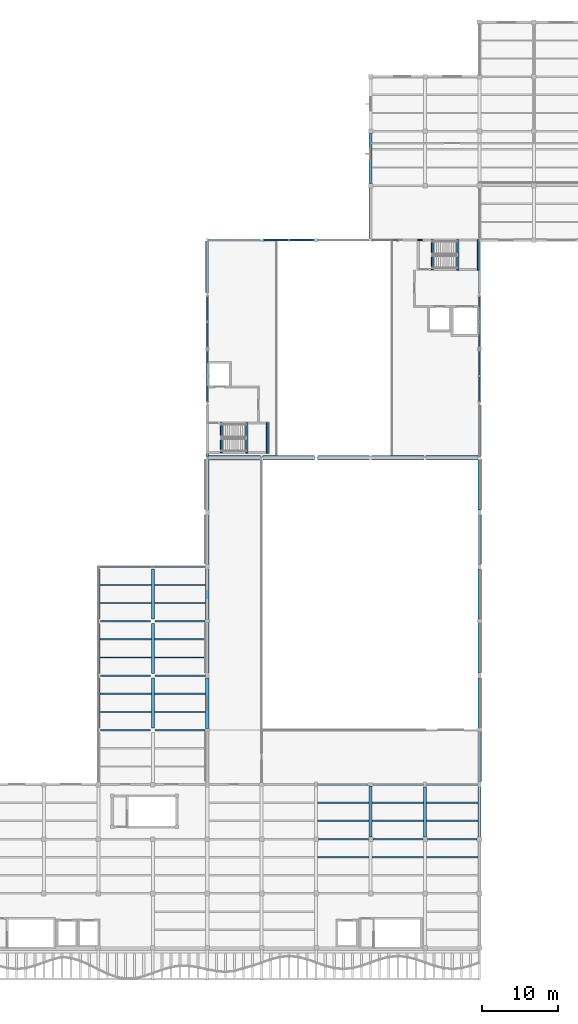
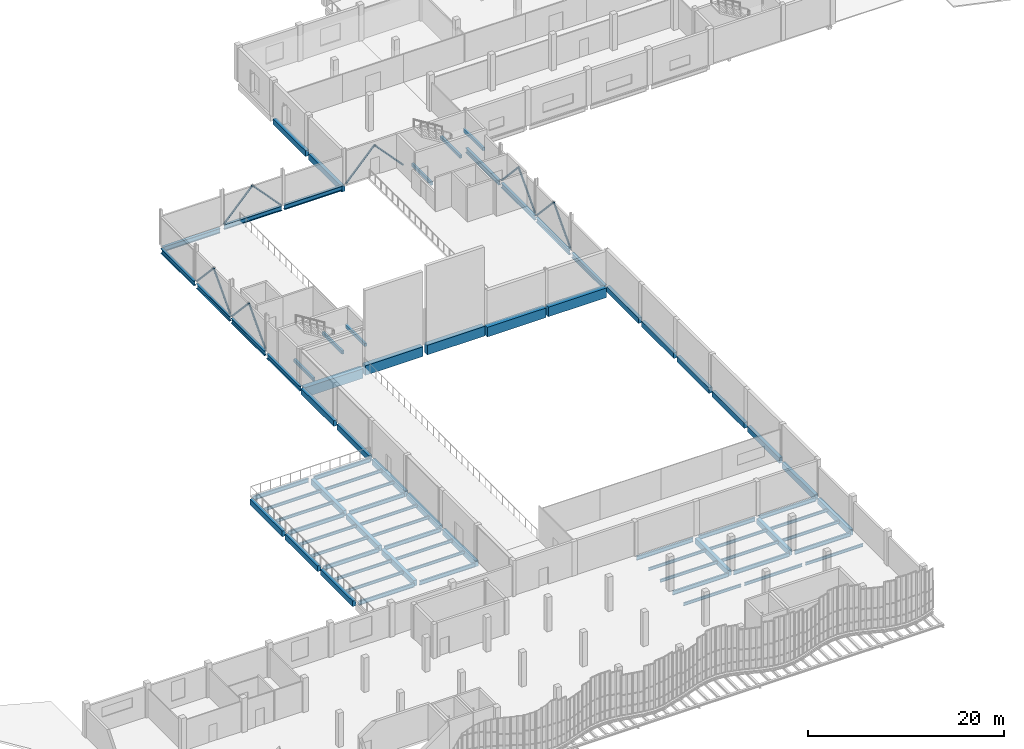
# One storey, part 28 of 76: 79 beams, 12 members.
"""IFC4 building model written with IfcOpenShell, lengths in metres."""

import ifcopenshell
import ifcopenshell.guid

model = None  # the IFC model being written
_history = None  # IfcOwnerHistory: only IFC2X3 demands one
_inside = {}  # id of a spatial element -> (the spatial element, [elements in it])
_under = {}  # id of a project, library or spatial element -> (it, [spatial elements below it])
_declared = {}  # id of a project -> (the project, [libraries it declares])
_typed = {}  # id of a type object -> (the type object, [elements of that type])
_made_of = {}  # id of a material, layer set ... -> (it, [elements and type objects made of it])


def new_model(schema):
    """Start an empty IFC model of exactly this schema.

    Asked for "IFC4X3", IfcOpenShell would pick the latest addendum, in which some entities
    have other attributes; the version numbers below select the first issue.
    IFC2X3 requires an IfcOwnerHistory on every rooted entity: one is made here for all.
    """
    global model, _history
    if schema == "IFC4X3":
        model = ifcopenshell.file(schema_version=(4, 3, 0, 0))
    else:
        model = ifcopenshell.file(schema=schema)
    _inside.clear()
    _under.clear()
    _declared.clear()
    _typed.clear()
    _made_of.clear()
    _history = None
    if model.schema == "IFC2X3":
        org = make("IfcOrganization", Name="unknown")
        user = make(
            "IfcPersonAndOrganization",
            ThePerson=make("IfcPerson", FamilyName="unknown"),
            TheOrganization=org,
        )
        app = make(
            "IfcApplication",
            ApplicationDeveloper=org,
            Version="unknown",
            ApplicationFullName="unknown",
            ApplicationIdentifier="unknown",
        )
        _history = make(
            "IfcOwnerHistory",
            OwningUser=user,
            OwningApplication=app,
            ChangeAction="ADDED",
            CreationDate=0,
        )
    return model


def make(cls, **values):
    """One entity of the class cls with the attributes given. An attribute that is None is left unset."""
    return model.create_entity(
        cls, **{name: value for name, value in values.items() if value is not None}
    )


def rooted(cls, **values):
    """An entity with a GlobalId (a new one), such as an element, a storey or a relation."""
    return make(cls, GlobalId=ifcopenshell.guid.new(), OwnerHistory=_history, **values)


def si_unit(unit_type, name, prefix=None):
    """IfcSIUnit, for example si_unit("LENGTHUNIT", "METRE", prefix="MILLI")."""
    return make("IfcSIUnit", UnitType=unit_type, Prefix=prefix, Name=name)


def assignment(units):
    """IfcUnitAssignment: the units of a project."""
    return None if units is None else make("IfcUnitAssignment", Units=units)


def point(xyz):
    """IfcCartesianPoint."""
    return None if xyz is None else make("IfcCartesianPoint", Coordinates=xyz)


def direction(xyz):
    """IfcDirection."""
    return None if xyz is None else make("IfcDirection", DirectionRatios=xyz)


def frame(location, z_axis=None, x_axis=None):
    """IfcAxis2Placement3D, a coordinate frame: its origin and axes. An axis left out is left unset."""
    return make(
        "IfcAxis2Placement3D",
        Location=point(location),
        Axis=direction(z_axis),
        RefDirection=direction(x_axis),
    )


def frame_2d(location, x_axis=None):
    """IfcAxis2Placement2D, a coordinate frame in the plane: its origin and x axis."""
    return make(
        "IfcAxis2Placement2D", Location=point(location), RefDirection=direction(x_axis)
    )


def origin():
    """The frame at (0, 0, 0) with its axes left unset."""
    return frame((0.0, 0.0, 0.0))


def origin_2d():
    """The frame at (0, 0) in the plane with its x axis left unset."""
    return frame_2d((0.0, 0.0))


def place(relative_to, where):
    """IfcLocalPlacement: puts the frame where relative to a parent placement (None: the world)."""
    return make(
        "IfcLocalPlacement", PlacementRelTo=relative_to, RelativePlacement=where
    )


def context(
    kind, dimensions, precision=None, world=None, true_north=None, identifier=None
):
    """IfcGeometricRepresentationContext, for example the 3D "Model" context."""
    return make(
        "IfcGeometricRepresentationContext",
        ContextIdentifier=identifier,
        ContextType=kind,
        CoordinateSpaceDimension=dimensions,
        Precision=precision,
        WorldCoordinateSystem=world,
        TrueNorth=true_north,
    )


def subcontext(parent, identifier, kind, view, scale=None):
    """IfcGeometricRepresentationSubContext, for example "Body" below "Model"."""
    return make(
        "IfcGeometricRepresentationSubContext",
        ContextIdentifier=identifier,
        ContextType=kind,
        ParentContext=parent,
        TargetScale=scale,
        TargetView=view,
    )


def project(units=None, contexts=None):
    """IfcProject with its units and contexts."""
    return rooted(
        "IfcProject",
        Name="project",
        RepresentationContexts=contexts,
        UnitsInContext=assignment(units),
    )


def spatial(cls, under=None, at=None, **own):
    """A site, building, storey or space (cls), placed at a placement, below another one or the project."""
    s = rooted(cls, ObjectPlacement=at, **own)
    if under is not None:
        _under.setdefault(under.id(), (under, []))[1].append(s)
    return s


def profile(cls, at=None, kind="AREA", **sizes):
    """A parametric profile (cls). Its sizes go by their IFC names, for example OverallWidth=200.0."""
    return make(cls, ProfileType=kind, Position=at, **sizes)


def rectangle(**sizes):
    """IfcRectangleProfileDef."""
    return profile("IfcRectangleProfileDef", **sizes)


def hollow_circle(**sizes):
    """IfcCircleHollowProfileDef."""
    return profile("IfcCircleHollowProfileDef", **sizes)


def i_section(**sizes):
    """IfcIShapeProfileDef."""
    return profile("IfcIShapeProfileDef", **sizes)


def extrude(swept, where, along, depth):
    """IfcExtrudedAreaSolid: the profile swept, set in the frame where, extruded along a direction by depth."""
    return make(
        "IfcExtrudedAreaSolid",
        SweptArea=swept,
        Position=where,
        ExtrudedDirection=direction(along),
        Depth=depth,
    )


def shape(context_of_items, identifier, shape_type, items):
    """IfcShapeRepresentation: the items that make up one representation, for example the "Body"."""
    return make(
        "IfcShapeRepresentation",
        ContextOfItems=context_of_items,
        RepresentationIdentifier=identifier,
        RepresentationType=shape_type,
        Items=items,
    )


def material(Name=None, Category=None):
    """IfcMaterial."""
    return make("IfcMaterial", Name=Name, Category=Category)


def material_profile(
    of_material, cross_section, Name=None, Category=None, Priority=None
):
    """IfcMaterialProfile: a cross section and its material."""
    return make(
        "IfcMaterialProfile",
        Name=Name,
        Material=of_material,
        Profile=cross_section,
        Priority=Priority,
        Category=Category,
    )


def profile_set(profiles, Name=None, composite=None):
    """IfcMaterialProfileSet."""
    return make(
        "IfcMaterialProfileSet",
        Name=Name,
        MaterialProfiles=profiles,
        CompositeProfile=composite,
    )


def made_of(thing, what):
    """Note that an element or type object is made of a material, layer set ...; save() writes the relation."""
    if what is not None:
        _made_of.setdefault(what.id(), (what, []))[1].append(thing)
    return thing


def type_object(cls, material=None, **own):
    """A type object (cls), such as IfcWallType, which elements share."""
    return made_of(rooted(cls, **own), material)


def element(
    cls,
    number,
    at=None,
    inside=None,
    cuts=None,
    type_object=None,
    material=None,
    context=None,
    identifier="Body",
    shape_type=None,
    held_by="IfcProductDefinitionShape",
    body=None,
    shapes=None,
    **own,
):
    """One element of the class cls, such as IfcWall. Its Tag is "e" and its number.

    at: its placement. inside: the storey or other place that contains it. cuts: it is an
    opening in that element (IfcRelVoidsElement). A single representation is given by context,
    identifier, shape_type and body (its items); several are given by shapes. held_by: the class
    of the entity that holds the representations. save() writes the other relations.
    """
    e = rooted(cls, Tag="e%d" % number, ObjectPlacement=at, **own)
    if body is not None:
        shapes = [shape(context, identifier, shape_type, body)]
    if shapes is not None:
        e.Representation = make(held_by, Representations=shapes)
    if inside is not None:
        _inside.setdefault(inside.id(), (inside, []))[1].append(e)
    if cuts is not None:
        rooted(
            "IfcRelVoidsElement", RelatingBuildingElement=cuts, RelatedOpeningElement=e
        )
    if type_object is not None:
        _typed.setdefault(type_object.id(), (type_object, []))[1].append(e)
    return made_of(e, material)


def aggregate(whole, parts):
    """IfcRelAggregates: a whole, such as a stair, and the parts it consists of."""
    return rooted("IfcRelAggregates", RelatingObject=whole, RelatedObjects=parts)


def save(model, path):
    """Write the relations noted so far, then the file.

    IfcRelAggregates (storeys below a building ...), IfcRelContainedInSpatialStructure (elements
    in a storey), IfcRelDefinesByType, IfcRelAssociatesMaterial and IfcRelDeclares: one each for
    every whole, place, type object, material and project.
    """
    for whole, parts in _under.values():
        aggregate(whole, parts)
    for where, things in _inside.values():
        rooted(
            "IfcRelContainedInSpatialStructure",
            RelatedElements=things,
            RelatingStructure=where,
        )
    for kind, things in _typed.values():
        rooted("IfcRelDefinesByType", RelatedObjects=things, RelatingType=kind)
    for what, things in _made_of.values():
        rooted("IfcRelAssociatesMaterial", RelatedObjects=things, RelatingMaterial=what)
    for by, libraries in _declared.values():
        rooted("IfcRelDeclares", RelatingContext=by, RelatedDefinitions=libraries)
    model.write(path)


model = new_model("IFC4")

# Units and contexts
model_context = context("Model", 3, precision=1e-05, world=origin(), true_north=direction((0.0, 1.0)))
body_context = subcontext(model_context, "Body", "Model", "MODEL_VIEW")
ifc_project = project(units=[si_unit("LENGTHUNIT", "METRE"), si_unit("AREAUNIT", "SQUARE_METRE"), si_unit("VOLUMEUNIT", "CUBIC_METRE"), si_unit("PLANEANGLEUNIT", "RADIAN"), si_unit("MASSUNIT", "GRAM", prefix="KILO"), si_unit("THERMODYNAMICTEMPERATUREUNIT", "KELVIN"), si_unit("POWERUNIT", "WATT")], contexts=[model_context])

# Site, building, storey
site_placement = place(None, origin())
site = spatial("IfcSite", under=ifc_project, at=site_placement, CompositionType="ELEMENT")
building_placement = place(site_placement, origin())
building = spatial("IfcBuilding", under=site, at=building_placement, Name="Kaldorven Railside Theatre", CompositionType="ELEMENT")
storey_placement = place(building_placement, frame((0.0, 0.0, 14.39990234375)))
storey = spatial("IfcBuildingStorey", under=building, at=storey_placement, Name="L03", CompositionType="ELEMENT", Elevation=14.39990234375)

# Beams
ifc_material_1 = material(Name="Steel S355", Category="steel")
ifc_material_profile_1 = material_profile(ifc_material_1, i_section(OverallWidth=0.300048828125, OverallDepth=0.60009765625, WebThickness=0.015380859375, FlangeThickness=0.030029296875, at=origin_2d()), Name="HEB 600")
ifc_profile_set_1 = profile_set([ifc_material_profile_1], Name="Steel S355")
beam_type_1 = type_object("IfcBeamType", Name="BM-HEB600", PredefinedType="BEAM", material=ifc_profile_set_1)
for number, where, z_axis, x_axis, name in (
    (1, (87.199951171875, 84.186279296875, -0.5498046875), (0.0, 1.0, 0.0), (-1.0, 0.0, 0.0), "L03 Girder BGY-L03-087-084-72"),
    (2, (123.199951171875, 84.186279296875, -0.539794921875), (0.0, 1.0, 0.0), (-1.0, 0.0, 0.0), "L03 Girder BGY-L03-123-084-72"),
):
    element("IfcBeam", number, at=place(storey_placement, frame(where, z_axis=z_axis, x_axis=x_axis)), inside=storey, type_object=beam_type_1, Name=name, PredefinedType="BEAM", context=body_context, shape_type="SweptSolid", body=[
        extrude(i_section(OverallWidth=0.300048828125, OverallDepth=0.60009765625, WebThickness=0.015380859375, FlangeThickness=0.030029296875, at=origin_2d()), origin(), (0.0, 0.0, 1.0), 6.763671875),
    ])
for number, where, z_axis, x_axis, name in (
    (3, (87.199951171875, 91.449951171875, -0.539794921875), (0.0, 1.0, 0.0), (-1.0, 0.0, 0.0), "L03 Girder BGY-L03-087-091-72"),
    (4, (123.199951171875, 91.449951171875, -0.539794921875), (0.0, 1.0, 0.0), (-1.0, 0.0, 0.0), "L03 Girder BGY-L03-123-091-72"),
    (5, (87.199951171875, 98.550048828125, -0.539794921875), (0.0, 1.0, 0.0), (-1.0, 0.0, 0.0), "L03 Girder BGY-L03-087-098-72"),
    (6, (123.199951171875, 98.550048828125, -0.539794921875), (0.0, 1.0, 0.0), (-1.0, 0.0, 0.0), "L03 Girder BGY-L03-123-098-72"),
):
    element("IfcBeam", number, at=place(storey_placement, frame(where, z_axis=z_axis, x_axis=x_axis)), inside=storey, type_object=beam_type_1, Name=name, PredefinedType="BEAM", context=body_context, shape_type="SweptSolid", body=[
        extrude(i_section(OverallWidth=0.300048828125, OverallDepth=0.60009765625, WebThickness=0.015380859375, FlangeThickness=0.030029296875, at=origin_2d()), origin(), (0.0, 0.0, 1.0), 6.800048828125),
    ])
for number, where, z_axis, x_axis, name in (
    (7, (87.199951171875, 105.85009765625, -0.539794921875), (0.0, 1.0, 0.0), (-1.0, 0.0, 0.0), "L03 Girder BGY-L03-087-105-72"),
    (8, (123.199951171875, 105.85009765625, -0.579833984375), (0.0, 1.0, 0.0), (-1.0, 0.0, 0.0), "L03 Girder BGY-L03-123-105-72"),
):
    element("IfcBeam", number, at=place(storey_placement, frame(where, z_axis=z_axis, x_axis=x_axis)), inside=storey, type_object=beam_type_1, Name=name, PredefinedType="BEAM", context=body_context, shape_type="SweptSolid", body=[
        extrude(i_section(OverallWidth=0.300048828125, OverallDepth=0.60009765625, WebThickness=0.015380859375, FlangeThickness=0.030029296875, at=origin_2d()), origin(), (0.0, 0.0, 1.0), 6.765869140625),
    ])
beam_1_placement = place(storey_placement, frame((87.38623046875, 112.800048828125, -0.539794921875), z_axis=(1.0, 0.0, 0.0), x_axis=(0.0, 1.0, 0.0)))
element("IfcBeam", 9, at=beam_1_placement, inside=storey, type_object=beam_type_1, Name="L03 Girder BGX-L03-087-112", PredefinedType="BEAM", context=body_context, shape_type="SweptSolid", body=[
    extrude(i_section(OverallWidth=0.300048828125, OverallDepth=0.60009765625, WebThickness=0.015380859375, FlangeThickness=0.030029296875, at=origin_2d()), origin(), (0.0, 0.0, 1.0), 6.763671875),
])
for number, where, z_axis, x_axis, name in (
    (10, (94.64990234375, 112.800048828125, -0.2998046875), (1.0, 0.0, 0.0), (0.0, 1.0, 0.0), "L03 Girder BGX-L03-094-112"),
    (11, (101.75, 112.800048828125, -0.2998046875), (1.0, 0.0, 0.0), (0.0, 1.0, 0.0), "L03 Girder BGX-L03-101-112"),
):
    element("IfcBeam", number, at=place(storey_placement, frame(where, z_axis=z_axis, x_axis=x_axis)), inside=storey, type_object=beam_type_1, Name=name, PredefinedType="BEAM", context=body_context, shape_type="SweptSolid", body=[
        extrude(i_section(OverallWidth=0.300048828125, OverallDepth=0.60009765625, WebThickness=0.015380859375, FlangeThickness=0.030029296875, at=origin_2d()), origin(), (0.0, 0.0, 1.0), 6.800048828125),
    ])
ifc_material_profile_2 = material_profile(ifc_material_1, i_section(OverallWidth=0.169921875, OverallDepth=0.360107421875, WebThickness=0.008056640625, FlangeThickness=0.0126953125, at=origin_2d()), Name="IPE 360")
ifc_profile_set_2 = profile_set([ifc_material_profile_2], Name="Steel S355")
beam_type_2 = type_object("IfcBeamType", Name="BM-IPE360", PredefinedType="JOIST", material=ifc_profile_set_2)
for number, where, z_axis, x_axis, name in (
    (12, (101.800048828125, 31.199951171875, -0.4599609375), (1.0, 0.0, 0.0), (0.0, 1.0, 0.0), "L03 Secondary Floor Joist JG-L03-101-0312"),
    (13, (109.0, 31.199951171875, -0.4599609375), (1.0, 0.0, 0.0), (0.0, 1.0, 0.0), "L03 Secondary Floor Joist JG-L03-108-0312"),
    (14, (116.199951171875, 31.199951171875, -0.4599609375), (1.0, 0.0, 0.0), (0.0, 1.0, 0.0), "L03 Secondary Floor Joist JG-L03-116-0312"),
    (15, (101.800048828125, 36.0, -0.4599609375), (1.0, 0.0, 0.0), (0.0, 1.0, 0.0), "L03 Secondary Floor Joist JG-L03-101-0360"),
    (16, (101.800048828125, 38.39990234375, -0.4599609375), (1.0, 0.0, 0.0), (0.0, 1.0, 0.0), "L03 Secondary Floor Joist JG-L03-101-0384"),
    (17, (109.0, 36.0, -0.4599609375), (1.0, 0.0, 0.0), (0.0, 1.0, 0.0), "L03 Secondary Floor Joist JG-L03-108-0360"),
    (18, (109.0, 38.39990234375, -0.4599609375), (1.0, 0.0, 0.0), (0.0, 1.0, 0.0), "L03 Secondary Floor Joist JG-L03-108-0384"),
    (19, (116.199951171875, 36.0, -0.4599609375), (1.0, 0.0, 0.0), (0.0, 1.0, 0.0), "L03 Secondary Floor Joist JG-L03-116-0360"),
    (20, (116.199951171875, 38.39990234375, -0.4599609375), (1.0, 0.0, 0.0), (0.0, 1.0, 0.0), "L03 Secondary Floor Joist JG-L03-116-0384"),
    (21, (73.0, 50.39990234375, -0.39990234375), (1.0, 0.0, 0.0), (0.0, 1.0, 0.0), "L03 Secondary Floor Joist JG-L03-072-0504"),
    (22, (73.0, 52.800048828125, -0.39990234375), (1.0, 0.0, 0.0), (0.0, 1.0, 0.0), "L03 Secondary Floor Joist JG-L03-072-0528"),
    (23, (80.199951171875, 50.39990234375, -0.39990234375), (1.0, 0.0, 0.0), (0.0, 1.0, 0.0), "L03 Secondary Floor Joist JG-L03-080-0504"),
    (24, (80.199951171875, 52.800048828125, -0.39990234375), (1.0, 0.0, 0.0), (0.0, 1.0, 0.0), "L03 Secondary Floor Joist JG-L03-080-0528"),
    (25, (73.0, 57.60009765625, -0.39990234375), (1.0, 0.0, 0.0), (0.0, 1.0, 0.0), "L03 Secondary Floor Joist JG-L03-072-0576"),
    (26, (73.0, 60.0, -0.39990234375), (1.0, 0.0, 0.0), (0.0, 1.0, 0.0), "L03 Secondary Floor Joist JG-L03-072-0600"),
    (27, (80.199951171875, 57.60009765625, -0.39990234375), (1.0, 0.0, 0.0), (0.0, 1.0, 0.0), "L03 Secondary Floor Joist JG-L03-080-0576"),
    (28, (80.199951171875, 60.0, -0.39990234375), (1.0, 0.0, 0.0), (0.0, 1.0, 0.0), "L03 Secondary Floor Joist JG-L03-080-0600"),
    (29, (73.0, 64.800048828125, -0.39990234375), (1.0, 0.0, 0.0), (0.0, 1.0, 0.0), "L03 Secondary Floor Joist JG-L03-072-0648"),
    (30, (73.0, 67.199951171875, -0.39990234375), (1.0, 0.0, 0.0), (0.0, 1.0, 0.0), "L03 Secondary Floor Joist JG-L03-072-0672"),
    (31, (80.199951171875, 64.800048828125, -0.39990234375), (1.0, 0.0, 0.0), (0.0, 1.0, 0.0), "L03 Secondary Floor Joist JG-L03-080-0648"),
    (32, (80.199951171875, 67.199951171875, -0.39990234375), (1.0, 0.0, 0.0), (0.0, 1.0, 0.0), "L03 Secondary Floor Joist JG-L03-080-0672"),
):
    element("IfcBeam", number, at=place(storey_placement, frame(where, z_axis=z_axis, x_axis=x_axis)), inside=storey, type_object=beam_type_2, Name=name, PredefinedType="JOIST", context=body_context, shape_type="SweptSolid", body=[
        extrude(i_section(OverallWidth=0.169921875, OverallDepth=0.360107421875, WebThickness=0.008056640625, FlangeThickness=0.0126953125, at=origin_2d()), origin(), (0.0, 0.0, 1.0), 6.800048828125),
    ])
ifc_material_profile_3 = material_profile(ifc_material_1, i_section(OverallWidth=0.199951171875, OverallDepth=0.5, WebThickness=0.01025390625, FlangeThickness=0.01611328125, at=origin_2d()), Name="IPE 500")
ifc_profile_set_3 = profile_set([ifc_material_profile_3], Name="Steel S355")
beam_type_3 = type_object("IfcBeamType", Name="BM-IPE500", PredefinedType="BEAM", material=ifc_profile_set_3)
beam_2_placement = place(storey_placement, frame((101.89990234375, 33.60009765625, -0.52978515625), z_axis=(1.0, 0.0, 0.0), x_axis=(0.0, 1.0, 0.0)))
element("IfcBeam", 33, at=beam_2_placement, inside=storey, type_object=beam_type_3, Name="L03 Girder BGX-L03-101-033", PredefinedType="BEAM", context=body_context, shape_type="SweptSolid", body=[
    extrude(i_section(OverallWidth=0.199951171875, OverallDepth=0.5, WebThickness=0.01025390625, FlangeThickness=0.01611328125, at=origin_2d()), origin(), (0.0, 0.0, 1.0), 6.60009765625),
])
for number, where, z_axis, x_axis, name in (
    (34, (109.10009765625, 33.60009765625, -0.52978515625), (1.0, 0.0, 0.0), (0.0, 1.0, 0.0), "L03 Girder BGX-L03-108-033"),
    (35, (116.300048828125, 33.60009765625, -0.52978515625), (1.0, 0.0, 0.0), (0.0, 1.0, 0.0), "L03 Girder BGX-L03-116-033"),
):
    element("IfcBeam", number, at=place(storey_placement, frame(where, z_axis=z_axis, x_axis=x_axis)), inside=storey, type_object=beam_type_3, Name=name, PredefinedType="BEAM", context=body_context, shape_type="SweptSolid", body=[
        extrude(i_section(OverallWidth=0.199951171875, OverallDepth=0.5, WebThickness=0.01025390625, FlangeThickness=0.01611328125, at=origin_2d()), origin(), (0.0, 0.0, 1.0), 6.599853515625),
    ])
for number, where, z_axis, x_axis, name in (
    (36, (101.800048828125, 40.800048828125, -0.52978515625), (1.0, 0.0, 0.0), (0.0, 1.0, 0.0), "L03 Girder BGX-L03-101-040"),
    (37, (109.125, 40.800048828125, -0.52978515625), (1.0, 0.0, 0.0), (0.0, 1.0, 0.0), "L03 Girder BGX-L03-108-040"),
):
    element("IfcBeam", number, at=place(storey_placement, frame(where, z_axis=z_axis, x_axis=x_axis)), inside=storey, type_object=beam_type_3, Name=name, PredefinedType="BEAM", context=body_context, shape_type="SweptSolid", body=[
        extrude(i_section(OverallWidth=0.199951171875, OverallDepth=0.5, WebThickness=0.01025390625, FlangeThickness=0.01611328125, at=origin_2d()), origin(), (0.0, 0.0, 1.0), 6.675048828125),
    ])
beam_3_placement = place(storey_placement, frame((116.199951171875, 40.800048828125, -0.52978515625), z_axis=(1.0, 0.0, 0.0), x_axis=(0.0, 1.0, 0.0)))
element("IfcBeam", 38, at=beam_3_placement, inside=storey, type_object=beam_type_3, Name="L03 Girder BGX-L03-116-040", PredefinedType="BEAM", context=body_context, shape_type="SweptSolid", body=[
    extrude(i_section(OverallWidth=0.199951171875, OverallDepth=0.5, WebThickness=0.01025390625, FlangeThickness=0.01611328125, at=origin_2d()), origin(), (0.0, 0.0, 1.0), 6.800048828125),
])
beam_4_placement = place(storey_placement, frame((73.10009765625, 48.0, -0.469970703125), z_axis=(1.0, 0.0, 0.0), x_axis=(0.0, 1.0, 0.0)))
element("IfcBeam", 39, at=beam_4_placement, inside=storey, type_object=beam_type_3, Name="L03 Girder BGX-L03-072-048", PredefinedType="BEAM", context=body_context, shape_type="SweptSolid", body=[
    extrude(i_section(OverallWidth=0.199951171875, OverallDepth=0.5, WebThickness=0.01025390625, FlangeThickness=0.01611328125, at=origin_2d()), origin(), (0.0, 0.0, 1.0), 6.599853515625),
])
beam_5_placement = place(storey_placement, frame((80.300048828125, 48.0, -0.469970703125), z_axis=(1.0, 0.0, 0.0), x_axis=(0.0, 1.0, 0.0)))
element("IfcBeam", 40, at=beam_5_placement, inside=storey, type_object=beam_type_3, Name="L03 Girder BGX-L03-080-048", PredefinedType="BEAM", context=body_context, shape_type="SweptSolid", body=[
    extrude(i_section(OverallWidth=0.199951171875, OverallDepth=0.5, WebThickness=0.01025390625, FlangeThickness=0.01611328125, at=origin_2d()), origin(), (0.0, 0.0, 1.0), 6.574951171875),
])
beam_6_placement = place(storey_placement, frame((73.10009765625, 55.199951171875, -0.469970703125), z_axis=(1.0, 0.0, 0.0), x_axis=(0.0, 1.0, 0.0)))
element("IfcBeam", 41, at=beam_6_placement, inside=storey, type_object=beam_type_3, Name="L03 Girder BGX-L03-072-055", PredefinedType="BEAM", context=body_context, shape_type="SweptSolid", body=[
    extrude(i_section(OverallWidth=0.199951171875, OverallDepth=0.5, WebThickness=0.01025390625, FlangeThickness=0.01611328125, at=origin_2d()), origin(), (0.0, 0.0, 1.0), 6.599853515625),
])
beam_7_placement = place(storey_placement, frame((80.300048828125, 55.199951171875, -0.5), z_axis=(1.0, 0.0, 0.0), x_axis=(0.0, 1.0, 0.0)))
element("IfcBeam", 42, at=beam_7_placement, inside=storey, type_object=beam_type_3, Name="L03 Girder BGX-L03-080-055", PredefinedType="BEAM", context=body_context, shape_type="SweptSolid", body=[
    extrude(i_section(OverallWidth=0.199951171875, OverallDepth=0.5, WebThickness=0.01025390625, FlangeThickness=0.01611328125, at=origin_2d()), origin(), (0.0, 0.0, 1.0), 6.699951171875),
])
beam_8_placement = place(storey_placement, frame((73.10009765625, 62.39990234375, -0.469970703125), z_axis=(1.0, 0.0, 0.0), x_axis=(0.0, 1.0, 0.0)))
element("IfcBeam", 43, at=beam_8_placement, inside=storey, type_object=beam_type_3, Name="L03 Girder BGX-L03-072-062", PredefinedType="BEAM", context=body_context, shape_type="SweptSolid", body=[
    extrude(i_section(OverallWidth=0.199951171875, OverallDepth=0.5, WebThickness=0.01025390625, FlangeThickness=0.01611328125, at=origin_2d()), origin(), (0.0, 0.0, 1.0), 6.599853515625),
])
beam_9_placement = place(storey_placement, frame((80.300048828125, 62.39990234375, -0.469970703125), z_axis=(1.0, 0.0, 0.0), x_axis=(0.0, 1.0, 0.0)))
element("IfcBeam", 44, at=beam_9_placement, inside=storey, type_object=beam_type_3, Name="L03 Girder BGX-L03-080-062", PredefinedType="BEAM", context=body_context, shape_type="SweptSolid", body=[
    extrude(i_section(OverallWidth=0.199951171875, OverallDepth=0.5, WebThickness=0.01025390625, FlangeThickness=0.01611328125, at=origin_2d()), origin(), (0.0, 0.0, 1.0), 6.574951171875),
])
beam_10_placement = place(storey_placement, frame((73.10009765625, 69.60009765625, -0.469970703125), z_axis=(1.0, 0.0, 0.0), x_axis=(0.0, 1.0, 0.0)))
element("IfcBeam", 45, at=beam_10_placement, inside=storey, type_object=beam_type_3, Name="L03 Girder BGX-L03-072-069", PredefinedType="BEAM", context=body_context, shape_type="SweptSolid", body=[
    extrude(i_section(OverallWidth=0.199951171875, OverallDepth=0.5, WebThickness=0.01025390625, FlangeThickness=0.01611328125, at=origin_2d()), origin(), (0.0, 0.0, 1.0), 6.599853515625),
])
beam_11_placement = place(storey_placement, frame((80.300048828125, 69.60009765625, -0.5), z_axis=(1.0, 0.0, 0.0), x_axis=(0.0, 1.0, 0.0)))
element("IfcBeam", 46, at=beam_11_placement, inside=storey, type_object=beam_type_3, Name="L03 Girder BGX-L03-080-069", PredefinedType="BEAM", context=body_context, shape_type="SweptSolid", body=[
    extrude(i_section(OverallWidth=0.199951171875, OverallDepth=0.5, WebThickness=0.01025390625, FlangeThickness=0.01611328125, at=origin_2d()), origin(), (0.0, 0.0, 1.0), 6.699951171875),
])
ifc_material_2 = material(Name="Concrete C40/50", Category="concrete")
ifc_material_profile_4 = material_profile(ifc_material_2, rectangle(XDim=0.25, YDim=0.39990234375, at=origin_2d()), Name="RC 250x400")
ifc_profile_set_4 = profile_set([ifc_material_profile_4], Name="Concrete C40/50")
beam_type_4 = type_object("IfcBeamType", Name="BM-RC250x400", PredefinedType="LINTEL", material=ifc_profile_set_4)
beam_12_placement = place(storey_placement, frame((89.050048828125, 84.669921875, -0.344970703125), z_axis=(0.0, 1.0, 0.0), x_axis=(-1.0, 0.0, 0.0)))
element("IfcBeam", 47, at=beam_12_placement, inside=storey, type_object=beam_type_4, Name="Stair ST-05 L03 Landing Trimmer Beam", PredefinedType="LINTEL", context=body_context, shape_type="SweptSolid", body=[
    extrude(rectangle(XDim=0.25, YDim=0.39990234375, at=origin_2d()), origin(), (0.0, 0.0, 1.0), 3.9599609375),
])
for number, where, z_axis, x_axis, name in (
    (48, (92.43505859375, 84.639892578125, 1.85009765625), (0.0, 1.0, 0.0), (-1.0, 0.0, 0.0), "Stair ST-05 L03 Half-Landing Bearer"),
    (49, (95.1298828125, 84.639892578125, 1.85009765625), (0.0, 1.0, 0.0), (-1.0, 0.0, 0.0), "Stair ST-05 L03 Half-Landing Bearer"),
):
    element("IfcBeam", number, at=place(storey_placement, frame(where, z_axis=z_axis, x_axis=x_axis)), inside=storey, type_object=beam_type_4, Name=name, PredefinedType="LINTEL", context=body_context, shape_type="SweptSolid", body=[
        extrude(rectangle(XDim=0.25, YDim=0.39990234375, at=origin_2d()), origin(), (0.0, 0.0, 1.0), 4.02001953125),
    ])
beam_13_placement = place(storey_placement, frame((116.949951171875, 108.8701171875, -0.344970703125), z_axis=(0.0, 1.0, 0.0), x_axis=(-1.0, 0.0, 0.0)))
element("IfcBeam", 50, at=beam_13_placement, inside=storey, type_object=beam_type_4, Name="Stair ST-06 L03 Landing Trimmer Beam", PredefinedType="LINTEL", context=body_context, shape_type="SweptSolid", body=[
    extrude(rectangle(XDim=0.25, YDim=0.39990234375, at=origin_2d()), origin(), (0.0, 0.0, 1.0), 3.9599609375),
])
for number, where, z_axis, x_axis, name in (
    (51, (120.3349609375, 108.840087890625, 1.85009765625), (0.0, 1.0, 0.0), (-1.0, 0.0, 0.0), "Stair ST-06 L03 Half-Landing Bearer"),
    (52, (123.030029296875, 108.840087890625, 1.85009765625), (0.0, 1.0, 0.0), (-1.0, 0.0, 0.0), "Stair ST-06 L03 Half-Landing Bearer"),
):
    element("IfcBeam", number, at=place(storey_placement, frame(where, z_axis=z_axis, x_axis=x_axis)), inside=storey, type_object=beam_type_4, Name=name, PredefinedType="LINTEL", context=body_context, shape_type="SweptSolid", body=[
        extrude(rectangle(XDim=0.25, YDim=0.39990234375, at=origin_2d()), origin(), (0.0, 0.0, 1.0), 4.02001953125),
    ])
ifc_material_profile_5 = material_profile(ifc_material_2, rectangle(XDim=0.39990234375, YDim=0.699951171875, at=origin_2d()), Name="RC 400x700")
ifc_profile_set_5 = profile_set([ifc_material_profile_5], Name="Concrete C40/50")
beam_type_5 = type_object("IfcBeamType", Name="BM-RC400x700", PredefinedType="BEAM", material=ifc_profile_set_5)
beam_14_placement = place(storey_placement, frame((108.800048828125, 33.89990234375, -0.6298828125), z_axis=(0.0, 1.0, 0.0), x_axis=(-1.0, 0.0, 0.0)))
element("IfcBeam", 53, at=beam_14_placement, inside=storey, type_object=beam_type_5, Name="L03 Girder BGY-L03-108-033-72", PredefinedType="BEAM", context=body_context, shape_type="SweptSolid", body=[
    extrude(rectangle(XDim=0.39990234375, YDim=0.699951171875, at=origin_2d()), origin(), (0.0, 0.0, 1.0), 6.7001953125),
])
for number, where, z_axis, x_axis, name in (
    (54, (116.0, 33.89990234375, -0.6298828125), (0.0, 1.0, 0.0), (-1.0, 0.0, 0.0), "L03 Girder BGY-L03-116-033-72"),
    (55, (123.199951171875, 33.89990234375, -0.6298828125), (0.0, 1.0, 0.0), (-1.0, 0.0, 0.0), "L03 Girder BGY-L03-123-033-72"),
):
    element("IfcBeam", number, at=place(storey_placement, frame(where, z_axis=z_axis, x_axis=x_axis)), inside=storey, type_object=beam_type_5, Name=name, PredefinedType="BEAM", context=body_context, shape_type="SweptSolid", body=[
        extrude(rectangle(XDim=0.39990234375, YDim=0.699951171875, at=origin_2d()), origin(), (0.0, 0.0, 1.0), 6.5751953125),
    ])
beam_15_placement = place(storey_placement, frame((123.199951171875, 41.125, -0.599853515625), z_axis=(0.0, 1.0, 0.0), x_axis=(-1.0, 0.0, 0.0)))
element("IfcBeam", 56, at=beam_15_placement, inside=storey, type_object=beam_type_5, Name="L03 Girder BGY-L03-123-040-72", PredefinedType="BEAM", context=body_context, shape_type="SweptSolid", body=[
    extrude(rectangle(XDim=0.39990234375, YDim=0.699951171875, at=origin_2d()), origin(), (0.0, 0.0, 1.0), 6.675048828125),
])
for number, where, z_axis, x_axis, name in (
    (57, (72.800048828125, 48.300048828125, -0.56982421875), (0.0, 1.0, 0.0), (-1.0, 0.0, 0.0), "L03 Girder BGY-L03-072-048-72"),
    (58, (80.0, 48.300048828125, -0.56982421875), (0.0, 1.0, 0.0), (-1.0, 0.0, 0.0), "L03 Girder BGY-L03-080-048-72"),
):
    element("IfcBeam", number, at=place(storey_placement, frame(where, z_axis=z_axis, x_axis=x_axis)), inside=storey, type_object=beam_type_5, Name=name, PredefinedType="BEAM", context=body_context, shape_type="SweptSolid", body=[
        extrude(rectangle(XDim=0.39990234375, YDim=0.699951171875, at=origin_2d()), origin(), (0.0, 0.0, 1.0), 6.599853515625),
    ])
beam_16_placement = place(storey_placement, frame((87.199951171875, 48.199951171875, -0.599853515625), z_axis=(0.0, 1.0, 0.0), x_axis=(-1.0, 0.0, 0.0)))
element("IfcBeam", 59, at=beam_16_placement, inside=storey, type_object=beam_type_5, Name="L03 Girder BGY-L03-087-048-72", PredefinedType="BEAM", context=body_context, shape_type="SweptSolid", body=[
    extrude(rectangle(XDim=0.39990234375, YDim=0.699951171875, at=origin_2d()), origin(), (0.0, 0.0, 1.0), 6.675048828125),
])
for number, where, z_axis, x_axis, name in (
    (60, (72.800048828125, 55.5, -0.56982421875), (0.0, 1.0, 0.0), (-1.0, 0.0, 0.0), "L03 Girder BGY-L03-072-055-72"),
    (61, (80.0, 55.5, -0.56982421875), (0.0, 1.0, 0.0), (-1.0, 0.0, 0.0), "L03 Girder BGY-L03-080-055-72"),
):
    element("IfcBeam", number, at=place(storey_placement, frame(where, z_axis=z_axis, x_axis=x_axis)), inside=storey, type_object=beam_type_5, Name=name, PredefinedType="BEAM", context=body_context, shape_type="SweptSolid", body=[
        extrude(rectangle(XDim=0.39990234375, YDim=0.699951171875, at=origin_2d()), origin(), (0.0, 0.0, 1.0), 6.60009765625),
    ])
beam_17_placement = place(storey_placement, frame((87.199951171875, 55.52490234375, -0.599853515625), z_axis=(0.0, 1.0, 0.0), x_axis=(-1.0, 0.0, 0.0)))
element("IfcBeam", 62, at=beam_17_placement, inside=storey, type_object=beam_type_5, Name="L03 Girder BGY-L03-087-055-72", PredefinedType="BEAM", context=body_context, shape_type="SweptSolid", body=[
    extrude(rectangle(XDim=0.39990234375, YDim=0.699951171875, at=origin_2d()), origin(), (0.0, 0.0, 1.0), 6.675048828125),
])
for number, where, z_axis, x_axis, name in (
    (63, (72.800048828125, 62.699951171875, -0.56982421875), (0.0, 1.0, 0.0), (-1.0, 0.0, 0.0), "L03 Girder BGY-L03-072-062-72"),
    (64, (80.0, 62.699951171875, -0.56982421875), (0.0, 1.0, 0.0), (-1.0, 0.0, 0.0), "L03 Girder BGY-L03-080-062-72"),
):
    element("IfcBeam", number, at=place(storey_placement, frame(where, z_axis=z_axis, x_axis=x_axis)), inside=storey, type_object=beam_type_5, Name=name, PredefinedType="BEAM", context=body_context, shape_type="SweptSolid", body=[
        extrude(rectangle(XDim=0.39990234375, YDim=0.699951171875, at=origin_2d()), origin(), (0.0, 0.0, 1.0), 6.60009765625),
    ])
beam_18_placement = place(storey_placement, frame((87.199951171875, 62.60009765625, -0.599853515625), z_axis=(0.0, 1.0, 0.0), x_axis=(-1.0, 0.0, 0.0)))
element("IfcBeam", 65, at=beam_18_placement, inside=storey, type_object=beam_type_5, Name="L03 Girder BGY-L03-087-062-72", PredefinedType="BEAM", context=body_context, shape_type="SweptSolid", body=[
    extrude(rectangle(XDim=0.39990234375, YDim=0.699951171875, at=origin_2d()), origin(), (0.0, 0.0, 1.0), 6.6748046875),
])
beam_19_placement = place(storey_placement, frame((87.199951171875, 69.925048828125, -0.599853515625), z_axis=(0.0, 1.0, 0.0), x_axis=(-1.0, 0.0, 0.0)))
element("IfcBeam", 66, at=beam_19_placement, inside=storey, type_object=beam_type_5, Name="L03 Girder BGY-L03-087-069-72", PredefinedType="BEAM", context=body_context, shape_type="SweptSolid", body=[
    extrude(rectangle(XDim=0.39990234375, YDim=0.699951171875, at=origin_2d()), origin(), (0.0, 0.0, 1.0), 6.550048828125),
])
beam_20_placement = place(storey_placement, frame((87.199951171875, 77.125, -0.599853515625), z_axis=(0.0, 1.0, 0.0), x_axis=(-1.0, 0.0, 0.0)))
element("IfcBeam", 67, at=beam_20_placement, inside=storey, type_object=beam_type_5, Name="L03 Girder BGY-L03-087-076-72", PredefinedType="BEAM", context=body_context, shape_type="SweptSolid", body=[
    extrude(rectangle(XDim=0.39990234375, YDim=0.699951171875, at=origin_2d()), origin(), (0.0, 0.0, 1.0), 6.688720703125),
])
beam_21_placement = place(storey_placement, frame((108.800048828125, 112.949951171875, -0.6298828125), z_axis=(0.0, 1.0, 0.0), x_axis=(-1.0, 0.0, 0.0)))
element("IfcBeam", 68, at=beam_21_placement, inside=storey, type_object=beam_type_5, Name="L03 Girder BGY-L03-108-112-72", PredefinedType="BEAM", context=body_context, shape_type="SweptSolid", body=[
    extrude(rectangle(XDim=0.39990234375, YDim=0.699951171875, at=origin_2d()), origin(), (0.0, 0.0, 1.0), 6.75),
])
beam_22_placement = place(storey_placement, frame((108.800048828125, 120.300048828125, -0.6298828125), z_axis=(0.0, 1.0, 0.0), x_axis=(-1.0, 0.0, 0.0)))
element("IfcBeam", 69, at=beam_22_placement, inside=storey, type_object=beam_type_5, Name="L03 Girder BGY-L03-108-120-72", PredefinedType="BEAM", context=body_context, shape_type="SweptSolid", body=[
    extrude(rectangle(XDim=0.39990234375, YDim=0.699951171875, at=origin_2d()), origin(), (0.0, 0.0, 1.0), 6.599853515625),
])
for number, where, z_axis, x_axis, name in (
    (70, (123.199951171875, 48.324951171875, -0.349853515625), (0.0, 1.0, 0.0), (-1.0, 0.0, 0.0), "L03 Perimeter Ring Girder BGY-L03-123-048-72"),
    (71, (123.199951171875, 55.52490234375, -0.349853515625), (0.0, 1.0, 0.0), (-1.0, 0.0, 0.0), "L03 Perimeter Ring Girder BGY-L03-123-055-72"),
):
    element("IfcBeam", number, at=place(storey_placement, frame(where, z_axis=z_axis, x_axis=x_axis)), inside=storey, type_object=beam_type_5, Name=name, PredefinedType="BEAM", context=body_context, shape_type="SweptSolid", body=[
        extrude(rectangle(XDim=0.39990234375, YDim=0.699951171875, at=origin_2d()), origin(), (0.0, 0.0, 1.0), 6.550048828125),
    ])
beam_23_placement = place(storey_placement, frame((123.199951171875, 62.72509765625, -0.349853515625), z_axis=(0.0, 1.0, 0.0), x_axis=(-1.0, 0.0, 0.0)))
element("IfcBeam", 72, at=beam_23_placement, inside=storey, type_object=beam_type_5, Name="L03 Perimeter Ring Girder BGY-L03-123-062-72", PredefinedType="BEAM", context=body_context, shape_type="SweptSolid", body=[
    extrude(rectangle(XDim=0.39990234375, YDim=0.699951171875, at=origin_2d()), origin(), (0.0, 0.0, 1.0), 6.5498046875),
])
for number, where, z_axis, x_axis, name in (
    (73, (123.199951171875, 69.925048828125, -0.349853515625), (0.0, 1.0, 0.0), (-1.0, 0.0, 0.0), "L03 Perimeter Ring Girder BGY-L03-123-069-72"),
    (74, (123.199951171875, 77.125, -0.349853515625), (0.0, 1.0, 0.0), (-1.0, 0.0, 0.0), "L03 Perimeter Ring Girder BGY-L03-123-076-72"),
):
    element("IfcBeam", number, at=place(storey_placement, frame(where, z_axis=z_axis, x_axis=x_axis)), inside=storey, type_object=beam_type_5, Name=name, PredefinedType="BEAM", context=body_context, shape_type="SweptSolid", body=[
        extrude(rectangle(XDim=0.39990234375, YDim=0.699951171875, at=origin_2d()), origin(), (0.0, 0.0, 1.0), 6.550048828125),
    ])
ifc_material_profile_6 = material_profile(ifc_material_2, rectangle(XDim=0.60009765625, YDim=1.199951171875, at=origin_2d()), Name="RC 600x1200")
ifc_profile_set_6 = profile_set([ifc_material_profile_6], Name="Concrete C40/50")
beam_type_6 = type_object("IfcBeamType", Name="BM-RC600x1200", PredefinedType="BEAM", material=ifc_profile_set_6)
beam_24_placement = place(storey_placement, frame((87.384033203125, 84.0, -0.849853515625), z_axis=(1.0, 0.0, 0.0), x_axis=(0.0, 1.0, 0.0)))
element("IfcBeam", 75, at=beam_24_placement, inside=storey, type_object=beam_type_6, Name="L03 Girder BGX-L03-087-084", PredefinedType="BEAM", context=body_context, shape_type="SweptSolid", body=[
    extrude(rectangle(XDim=0.60009765625, YDim=1.199951171875, at=origin_2d()), origin(), (0.0, 0.0, 1.0), 6.865966796875),
])
beam_25_placement = place(storey_placement, frame((94.550048828125, 84.0, -0.599853515625), z_axis=(1.0, 0.0, 0.0), x_axis=(0.0, 1.0, 0.0)))
element("IfcBeam", 76, at=beam_25_placement, inside=storey, type_object=beam_type_6, Name="L03 Girder BGX-L03-094-084", PredefinedType="BEAM", context=body_context, shape_type="SweptSolid", body=[
    extrude(rectangle(XDim=0.60009765625, YDim=1.199951171875, at=origin_2d()), origin(), (0.0, 0.0, 1.0), 6.800048828125),
])
beam_26_placement = place(storey_placement, frame((101.85009765625, 84.0, -0.599853515625), z_axis=(1.0, 0.0, 0.0), x_axis=(0.0, 1.0, 0.0)))
element("IfcBeam", 77, at=beam_26_placement, inside=storey, type_object=beam_type_6, Name="L03 Girder BGX-L03-101-084", PredefinedType="BEAM", context=body_context, shape_type="SweptSolid", body=[
    extrude(rectangle(XDim=0.60009765625, YDim=1.199951171875, at=origin_2d()), origin(), (0.0, 0.0, 1.0), 6.7998046875),
])
beam_27_placement = place(storey_placement, frame((108.949951171875, 84.0, -0.83984375), z_axis=(1.0, 0.0, 0.0), x_axis=(0.0, 1.0, 0.0)))
element("IfcBeam", 78, at=beam_27_placement, inside=storey, type_object=beam_type_6, Name="L03 Girder BGX-L03-108-084", PredefinedType="BEAM", context=body_context, shape_type="SweptSolid", body=[
    extrude(rectangle(XDim=0.60009765625, YDim=1.199951171875, at=origin_2d()), origin(), (0.0, 0.0, 1.0), 6.900146484375),
])
beam_28_placement = place(storey_placement, frame((116.14990234375, 84.0, -0.83984375), z_axis=(1.0, 0.0, 0.0), x_axis=(0.0, 1.0, 0.0)))
element("IfcBeam", 79, at=beam_28_placement, inside=storey, type_object=beam_type_6, Name="L03 Girder BGX-L03-116-084", PredefinedType="BEAM", context=body_context, shape_type="SweptSolid", body=[
    extrude(rectangle(XDim=0.60009765625, YDim=1.199951171875, at=origin_2d()), origin(), (0.0, 0.0, 1.0), 6.865966796875),
])

# Members
ifc_material_profile_7 = material_profile(ifc_material_1, hollow_circle(Radius=0.109619140625, WallThickness=0.010009765625, at=origin_2d()), Name="CHS 219.1x10")
ifc_profile_set_7 = profile_set([ifc_material_profile_7], Name="Steel S355")
member_type = type_object("IfcMemberType", Name="MEM-CHS219", PredefinedType="BRACE", material=ifc_profile_set_7)
member_1_placement = place(storey_placement, frame((87.199951171875, 91.419921875, 0.0400390625), z_axis=(0.0, 0.680451099367, 0.732793491626), x_axis=(-1.0, 0.0, 0.0)))
element("IfcMember", 80, at=member_1_placement, inside=storey, type_object=member_type, Name="Fly-Tower Concentric Chevron Brace BR-025", PredefinedType="BRACE", context=body_context, shape_type="SweptSolid", body=[
    extrude(hollow_circle(Radius=0.109619140625, WallThickness=0.010009765625, at=origin_2d()), origin(), (0.0, 0.0, 1.0), 4.967529296875),
])
for number, where, z_axis, x_axis, name in (
    (81, (87.199951171875, 98.179931640625, 0.0400390625), (0.0, -0.680424706355, 0.732817998538), (1.0, 0.0, 0.0), "Fly-Tower Concentric Chevron Brace BR-026"),
    (82, (87.199951171875, 98.6201171875, 0.0400390625), (0.0, 0.680424706355, 0.732817998538), (-1.0, 0.0, 0.0), "Fly-Tower Concentric Chevron Brace BR-027"),
    (83, (87.199951171875, 105.3798828125, 0.0400390625), (0.0, -0.680424706355, 0.732817998538), (1.0, 0.0, 0.0), "Fly-Tower Concentric Chevron Brace BR-028"),
):
    element("IfcMember", number, at=place(storey_placement, frame(where, z_axis=z_axis, x_axis=x_axis)), inside=storey, type_object=member_type, Name=name, PredefinedType="BRACE", context=body_context, shape_type="SweptSolid", body=[
        extrude(hollow_circle(Radius=0.109619140625, WallThickness=0.010009765625, at=origin_2d()), origin(), (0.0, 0.0, 1.0), 4.96728515625),
    ])
member_2_placement = place(storey_placement, frame((123.199951171875, 91.419921875, 0.0400390625), z_axis=(0.0, 0.680451099367, 0.732793491626), x_axis=(-1.0, 0.0, 0.0)))
element("IfcMember", 84, at=member_2_placement, inside=storey, type_object=member_type, Name="Fly-Tower Concentric Chevron Brace BR-029", PredefinedType="BRACE", context=body_context, shape_type="SweptSolid", body=[
    extrude(hollow_circle(Radius=0.109619140625, WallThickness=0.010009765625, at=origin_2d()), origin(), (0.0, 0.0, 1.0), 4.967529296875),
])
for number, where, z_axis, x_axis, name in (
    (85, (123.199951171875, 98.179931640625, 0.0400390625), (0.0, -0.680424706355, 0.732817998538), (1.0, 0.0, 0.0), "Fly-Tower Concentric Chevron Brace BR-030"),
    (86, (123.199951171875, 98.6201171875, 0.0400390625), (0.0, 0.680424706355, 0.732817998538), (-1.0, 0.0, 0.0), "Fly-Tower Concentric Chevron Brace BR-031"),
    (87, (123.199951171875, 105.3798828125, 0.0400390625), (0.0, -0.680424706355, 0.732817998538), (1.0, 0.0, 0.0), "Fly-Tower Concentric Chevron Brace BR-032"),
    (88, (94.6201171875, 112.800048828125, 0.0400390625), (0.680424706355, 0.0, 0.732817998538), (0.0, 1.0, 0.0), "Fly-Tower Concentric Chevron Brace BR-033"),
    (89, (101.3798828125, 112.800048828125, 0.0400390625), (-0.680424706355, 0.0, 0.732817998538), (0.0, -1.0, 0.0), "Fly-Tower Concentric Chevron Brace BR-034"),
    (90, (109.02001953125, 112.800048828125, 0.0400390625), (0.680424706355, 0.0, 0.732817998538), (0.0, 1.0, 0.0), "Fly-Tower Concentric Chevron Brace BR-035"),
):
    element("IfcMember", number, at=place(storey_placement, frame(where, z_axis=z_axis, x_axis=x_axis)), inside=storey, type_object=member_type, Name=name, PredefinedType="BRACE", context=body_context, shape_type="SweptSolid", body=[
        extrude(hollow_circle(Radius=0.109619140625, WallThickness=0.010009765625, at=origin_2d()), origin(), (0.0, 0.0, 1.0), 4.96728515625),
    ])
member_3_placement = place(storey_placement, frame((115.780029296875, 112.800048828125, 0.0400390625), z_axis=(-0.680451099367, 0.0, 0.732793491626), x_axis=(0.0, -1.0, 0.0)))
element("IfcMember", 91, at=member_3_placement, inside=storey, type_object=member_type, Name="Fly-Tower Concentric Chevron Brace BR-036", PredefinedType="BRACE", context=body_context, shape_type="SweptSolid", body=[
    extrude(hollow_circle(Radius=0.109619140625, WallThickness=0.010009765625, at=origin_2d()), origin(), (0.0, 0.0, 1.0), 4.967529296875),
])

save(model, "model.ifc")
